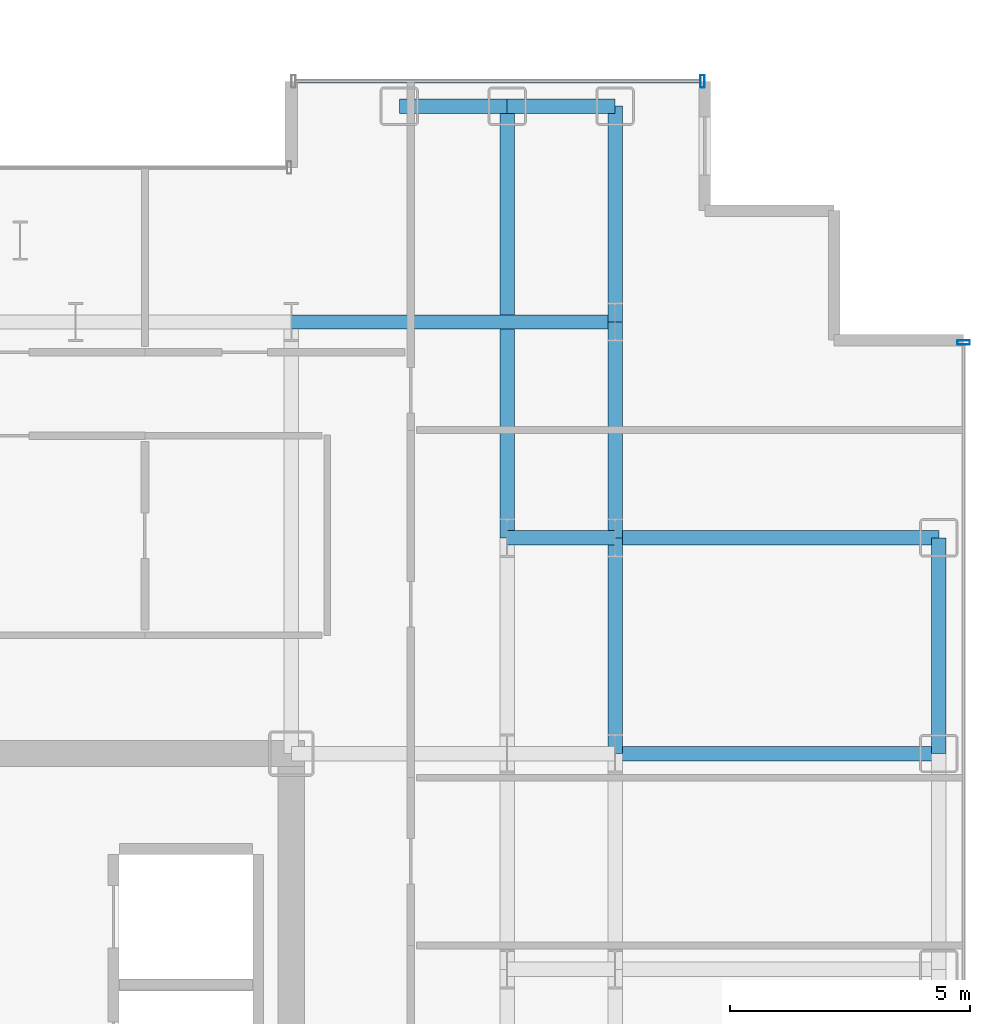
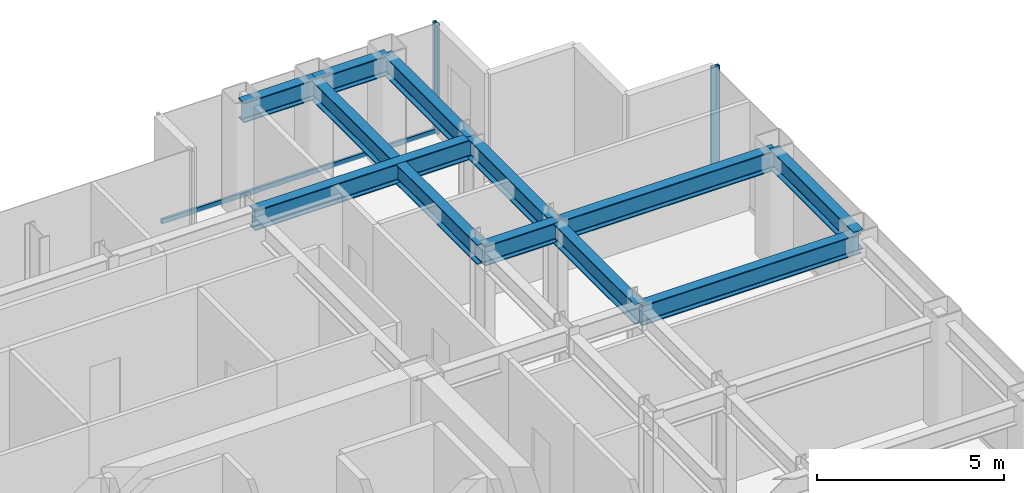
# One storey, part 14 of 23: 11 beams, 3 members, 2 elements without a shape of their own.
"""IFC4 building model written with IfcOpenShell, lengths in metres."""

from ifc_helpers import new_model, si_unit, direction, frame, origin, origin_2d, place, context, subcontext, project, spatial, hollow_rectangle, i_section, extrude, source, transform, mapped, material, layer, layer_set, material_profile, profile_set, type_object, element, aggregate, save


model = new_model("IFC4")

# Units and contexts
model_context = context("Model", 3, precision=1e-05, world=origin(), true_north=direction((0.0, 1.0)))
body_context = subcontext(model_context, "Body", "Model", "MODEL_VIEW")
ifc_project = project(units=[si_unit("LENGTHUNIT", "METRE"), si_unit("AREAUNIT", "SQUARE_METRE"), si_unit("VOLUMEUNIT", "CUBIC_METRE"), si_unit("PLANEANGLEUNIT", "RADIAN"), si_unit("MASSUNIT", "GRAM", prefix="KILO")], contexts=[model_context])

# Site, building, storey
site_placement = place(None, origin())
site = spatial("IfcSite", under=ifc_project, at=site_placement, CompositionType="ELEMENT")
building_placement = place(site_placement, origin())
building = spatial("IfcBuilding", under=site, at=building_placement, Name="Nefas-Gora Pilgrimage Tower", CompositionType="ELEMENT")
storey_placement = place(building_placement, frame((0.0, 0.0, 152.60009765625)))
storey = spatial("IfcBuildingStorey", under=building, at=storey_placement, Name="L37", CompositionType="ELEMENT", Elevation=152.60009765625)

# Beams
ifc_material_1 = material(Name="Steel S355", Category="steel")
ifc_material_profile_1 = material_profile(ifc_material_1, i_section(OverallWidth=0.300048828125, OverallDepth=0.64990234375, WebThickness=0.01611328125, FlangeThickness=0.031005859375, FilletRadius=0.027099609375, at=origin_2d()), Name="HEB 650")
ifc_profile_set_1 = profile_set([ifc_material_profile_1], Name="Steel S355")
beam_type_1 = type_object("IfcBeamType", Name="BM-SPN-HEB500", PredefinedType="SPANDREL", material=ifc_profile_set_1)
shared_shape_1 = source(origin(), body_context, "Body", "SweptSolid", [
    extrude(i_section(OverallWidth=0.300048828125, OverallDepth=0.64990234375, WebThickness=0.01611328125, FlangeThickness=0.031005859375, FilletRadius=0.027099609375, at=origin_2d()), origin(), (0.0, 0.0, 1.0), 4.5),
])
beam_1_placement = place(storey_placement, frame((24.75, 9.0, 3.224853515625), z_axis=(0.0, 1.0, 0.0), x_axis=(-1.0, 0.0, 0.0)))
element("IfcBeam", 1, at=beam_1_placement, inside=storey, type_object=beam_type_1, Name="L37 SP-02 beam", PredefinedType="SPANDREL", context=body_context, shape_type="MappedRepresentation", body=[
    mapped(shared_shape_1, transform((0.0, 0.0, 0.0), x_axis=(1.0, 0.0, 0.0), y_axis=(0.0, 1.0, 0.0), z_axis=(0.0, 0.0, 1.0), scale=1.0)),
])
ifc_material_profile_2 = material_profile(ifc_material_1, i_section(OverallWidth=0.300048828125, OverallDepth=0.64990234375, WebThickness=0.01611328125, FlangeThickness=0.031005859375, FilletRadius=0.027099609375, at=origin_2d()), Name="HEB 650")
ifc_profile_set_2 = profile_set([ifc_material_profile_2], Name="Steel S355")
beam_type_2 = type_object("IfcBeamType", Name="BM-GIR-HEB650", PredefinedType="BEAM", material=ifc_profile_set_2)
shared_shape_2 = source(origin(), body_context, "Body", "SweptSolid", [
    extrude(i_section(OverallWidth=0.300048828125, OverallDepth=0.64990234375, WebThickness=0.01611328125, FlangeThickness=0.031005859375, FilletRadius=0.027099609375, at=origin_2d()), origin(), (0.0, 0.0, 1.0), 9.0),
])
beam_2_placement = place(storey_placement, frame((15.75, 13.5, 3.224853515625), z_axis=(0.0, 1.0, 0.0), x_axis=(-1.0, 0.0, 0.0)))
element("IfcBeam", 2, at=beam_2_placement, inside=storey, type_object=beam_type_2, Name="L37 G-03 beam", PredefinedType="BEAM", context=body_context, shape_type="MappedRepresentation", body=[
    mapped(shared_shape_2, transform((0.0, 0.0, 0.0), x_axis=(1.0, 0.0, 0.0), y_axis=(0.0, 1.0, 0.0), z_axis=(0.0, 0.0, 1.0), scale=1.0)),
])
shared_shape_3 = source(origin(), body_context, "Body", "SweptSolid", [
    extrude(i_section(OverallWidth=0.300048828125, OverallDepth=0.64990234375, WebThickness=0.01611328125, FlangeThickness=0.031005859375, FilletRadius=0.027099609375, at=origin_2d()), origin(), (0.0, 0.0, 1.0), 4.5),
])
for number, where, z_axis, x_axis, name in (
    (3, (18.0, 9.0, 3.224853515625), (0.0, 1.0, 0.0), (-1.0, 0.0, 0.0), "L37 G-03 beam"),
    (4, (18.0, 13.5, 3.224853515625), (0.0, 1.0, 0.0), (-1.0, 0.0, 0.0), "L37 G-03 beam"),
    (5, (18.0, 18.0, 3.224853515625), (0.0, 1.0, 0.0), (-1.0, 0.0, 0.0), "L37 G-03 beam"),
):
    element("IfcBeam", number, at=place(storey_placement, frame(where, z_axis=z_axis, x_axis=x_axis)), inside=storey, type_object=beam_type_2, Name=name, PredefinedType="BEAM", context=body_context, shape_type="MappedRepresentation", body=[
        mapped(shared_shape_3, transform((0.0, 0.0, 0.0), x_axis=(1.0, 0.0, 0.0), y_axis=(0.0, 1.0, 0.0), z_axis=(0.0, 0.0, 1.0), scale=1.0)),
    ])
shared_shape_4 = source(origin(), body_context, "Body", "SweptSolid", [
    extrude(i_section(OverallWidth=0.300048828125, OverallDepth=0.64990234375, WebThickness=0.01611328125, FlangeThickness=0.031005859375, FilletRadius=0.027099609375, at=origin_2d()), origin(), (0.0, 0.0, 1.0), 6.75),
])
for number, where, z_axis, x_axis, name in (
    (6, (11.25, 18.0, 3.224853515625), (1.0, 0.0, 0.0), (0.0, 1.0, 0.0), "L37 G-03 beam"),
    (7, (18.0, 9.0, 3.224853515625), (1.0, 0.0, 0.0), (0.0, 1.0, 0.0), "L37 G-03 beam"),
    (8, (18.0, 13.5, 3.224853515625), (1.0, 0.0, 0.0), (0.0, 1.0, 0.0), "L37 G-03 beam"),
):
    element("IfcBeam", number, at=place(storey_placement, frame(where, z_axis=z_axis, x_axis=x_axis)), inside=storey, type_object=beam_type_2, Name=name, PredefinedType="BEAM", context=body_context, shape_type="MappedRepresentation", body=[
        mapped(shared_shape_4, transform((0.0, 0.0, 0.0), x_axis=(1.0, 0.0, 0.0), y_axis=(0.0, 1.0, 0.0), z_axis=(0.0, 0.0, 1.0), scale=1.0)),
    ])
shared_shape_5 = source(origin(), body_context, "Body", "SweptSolid", [
    extrude(i_section(OverallWidth=0.300048828125, OverallDepth=0.64990234375, WebThickness=0.01611328125, FlangeThickness=0.031005859375, FilletRadius=0.027099609375, at=origin_2d()), origin(), (0.0, 0.0, 1.0), 2.25),
])
for number, where, z_axis, x_axis, name in (
    (9, (13.5, 22.5, 3.224853515625), (1.0, 0.0, 0.0), (0.0, 1.0, 0.0), "L37 SP-02 beam"),
    (10, (15.75, 22.5, 3.224853515625), (1.0, 0.0, 0.0), (0.0, 1.0, 0.0), "L37 SP-02 beam"),
):
    element("IfcBeam", number, at=place(storey_placement, frame(where, z_axis=z_axis, x_axis=x_axis)), inside=storey, type_object=beam_type_1, Name=name, PredefinedType="SPANDREL", context=body_context, shape_type="MappedRepresentation", body=[
        mapped(shared_shape_5, transform((0.0, 0.0, 0.0), x_axis=(1.0, 0.0, 0.0), y_axis=(0.0, 1.0, 0.0), z_axis=(0.0, 0.0, 1.0), scale=1.0)),
    ])
shared_shape_6 = source(origin(), body_context, "Body", "SweptSolid", [
    extrude(i_section(OverallWidth=0.300048828125, OverallDepth=0.64990234375, WebThickness=0.01611328125, FlangeThickness=0.031005859375, FilletRadius=0.027099609375, at=origin_2d()), origin(), (0.0, 0.0, 1.0), 2.25),
])
beam_3_placement = place(storey_placement, frame((15.75, 13.5, 3.224853515625), z_axis=(1.0, 0.0, 0.0), x_axis=(0.0, 1.0, 0.0)))
element("IfcBeam", 11, at=beam_3_placement, inside=storey, type_object=beam_type_2, Name="L37 G-03 beam", PredefinedType="BEAM", context=body_context, shape_type="MappedRepresentation", body=[
    mapped(shared_shape_6, transform((0.0, 0.0, 0.0), x_axis=(1.0, 0.0, 0.0), y_axis=(0.0, 1.0, 0.0), z_axis=(0.0, 0.0, 1.0), scale=1.0)),
])

# Curtain wall, member
ifc_material_2 = material(Name="Dark ceramic-fritted solar-control aluminium-glass curtain wall", Category="aluminium")
ifc_layer = layer(ifc_material_2, 0.219970703125)
ifc_layer_set = layer_set([ifc_layer], Name="Dark ceramic-fritted solar-control aluminium-glass curtain wall")
curtain_wall_type = type_object("IfcCurtainWallType", Name="CW-SYS-3", PredefinedType="NOTDEFINED", material=ifc_layer_set)
curtain_wall_1_placement = place(storey_placement, origin())
curtain_wall_1 = element("IfcCurtainWall", 12, at=curtain_wall_1_placement, inside=storey, type_object=curtain_wall_type, Name="L37 Unitised Curtain Wall CW3", PredefinedType="NOTDEFINED")
ifc_material_3 = material(Name="Anodised architectural aluminium", Category="aluminium")
ifc_material_profile_3 = material_profile(ifc_material_3, hollow_rectangle(XDim=0.080078125, YDim=0.159912109375, WallThickness=0.00439453125, InnerFilletRadius=0.00439453125, OuterFilletRadius=0.009033203125, at=origin_2d()), Name="ALU TRANSOM 80x160")
ifc_profile_set_3 = profile_set([ifc_material_profile_3], Name="Anodised architectural aluminium")
member_type_1 = type_object("IfcMemberType", Name="CWM-TRN-3", PredefinedType="USERDEFINED", material=ifc_profile_set_3)
shared_shape_7 = source(origin(), body_context, "Body", "SweptSolid", [
    extrude(hollow_rectangle(XDim=0.080078125, YDim=0.159912109375, WallThickness=0.00439453125, InnerFilletRadius=0.00439453125, OuterFilletRadius=0.009033203125, at=origin_2d()), origin(), (0.0, 0.0, 1.0), 8.43994140625),
])
member_1_placement = place(storey_placement, frame((19.780029296875, 23.02001953125, 0.0498046875), z_axis=(-1.0, 0.0, 0.0), x_axis=(0.0, -1.0, 0.0)))
member_1 = element("IfcMember", 13, at=member_1_placement, type_object=member_type_1, Name="CW3 Spandrel Transom", ObjectType="TRANSOM", PredefinedType="USERDEFINED", context=body_context, shape_type="MappedRepresentation", body=[
    mapped(shared_shape_7, transform((0.0, 0.0, 0.0), x_axis=(1.0, 0.0, 0.0), y_axis=(0.0, 1.0, 0.0), z_axis=(0.0, 0.0, 1.0), scale=1.0)),
])

curtain_wall_2_placement = place(storey_placement, origin())
curtain_wall_2 = element("IfcCurtainWall", 14, at=curtain_wall_2_placement, inside=storey, type_object=curtain_wall_type, Name="L37 Unitised Curtain Wall CW3", PredefinedType="NOTDEFINED")
ifc_material_profile_4 = material_profile(ifc_material_3, hollow_rectangle(XDim=0.090087890625, YDim=0.260009765625, WallThickness=0.006103515625, InnerFilletRadius=0.006103515625, OuterFilletRadius=0.011962890625, at=origin_2d()), Name="ALU MULLION 90x260")
ifc_profile_set_4 = profile_set([ifc_material_profile_4], Name="Anodised architectural aluminium")
member_type_2 = type_object("IfcMemberType", Name="CWM-MUL-3", PredefinedType="MULLION", material=ifc_profile_set_4)
shared_shape_8 = source(origin(), body_context, "Body", "SweptSolid", [
    extrude(hollow_rectangle(XDim=0.090087890625, YDim=0.260009765625, WallThickness=0.006103515625, InnerFilletRadius=0.006103515625, OuterFilletRadius=0.011962890625, at=origin_2d()), origin(), (0.0, 0.0, 1.0), 3.5498046875),
])
member_2_placement = place(storey_placement, frame((25.27001953125, 17.574951171875, 0.0), z_axis=(0.0, 0.0, 1.0), x_axis=(0.0, 1.0, 0.0)))
member_2 = element("IfcMember", 15, at=member_2_placement, type_object=member_type_2, Name="CW3 Mullion 2", PredefinedType="MULLION", context=body_context, shape_type="MappedRepresentation", body=[
    mapped(shared_shape_8, transform((0.0, 0.0, 0.0), x_axis=(1.0, 0.0, 0.0), y_axis=(0.0, 1.0, 0.0), z_axis=(0.0, 0.0, 1.0), scale=1.0)),
])
aggregate(curtain_wall_2, [member_2])

# Member
member_3_placement = place(storey_placement, frame((19.824951171875, 23.02001953125, 0.0), z_axis=(0.0, 0.0, 1.0), x_axis=(-1.0, 0.0, 0.0)))
member_3 = element("IfcMember", 16, at=member_3_placement, type_object=member_type_2, Name="CW3 Mullion 1", PredefinedType="MULLION", context=body_context, shape_type="MappedRepresentation", body=[
    mapped(shared_shape_8, transform((0.0, 0.0, 0.0), x_axis=(1.0, 0.0, 0.0), y_axis=(0.0, 1.0, 0.0), z_axis=(0.0, 0.0, 1.0), scale=1.0)),
])

aggregate(curtain_wall_1, [member_3, member_1])

save(model, "model.ifc")
